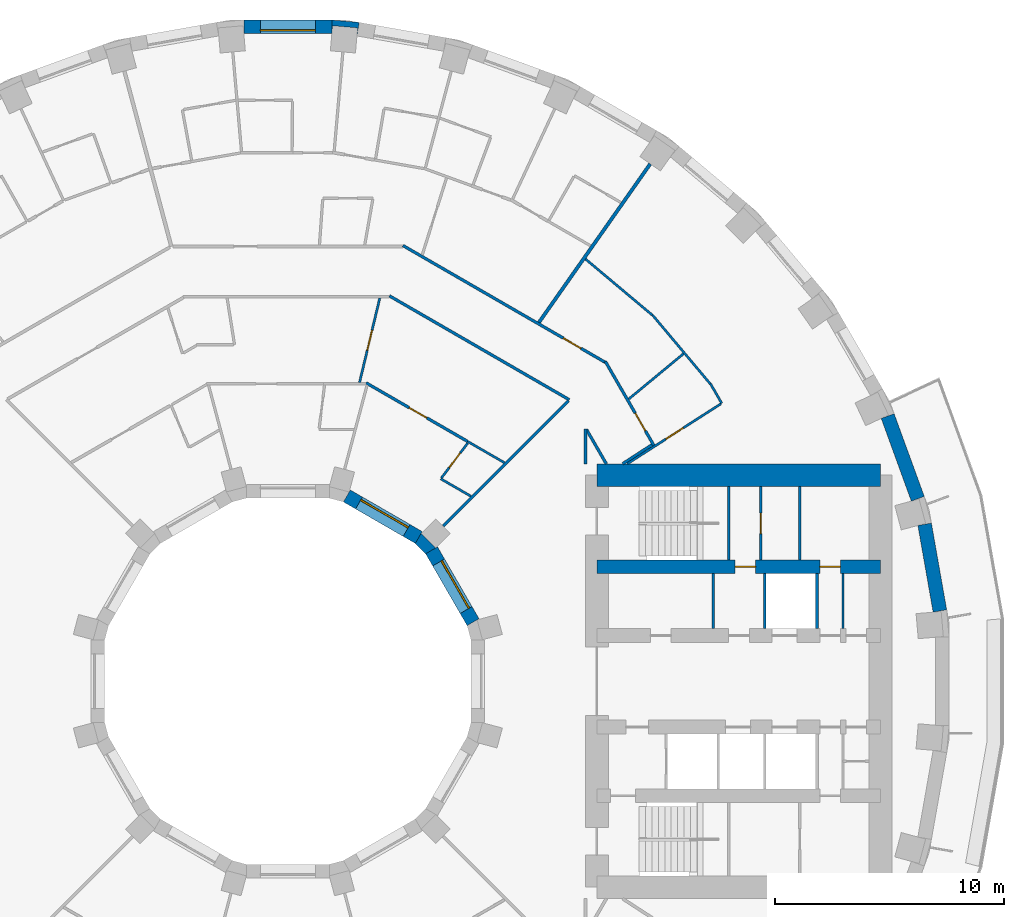
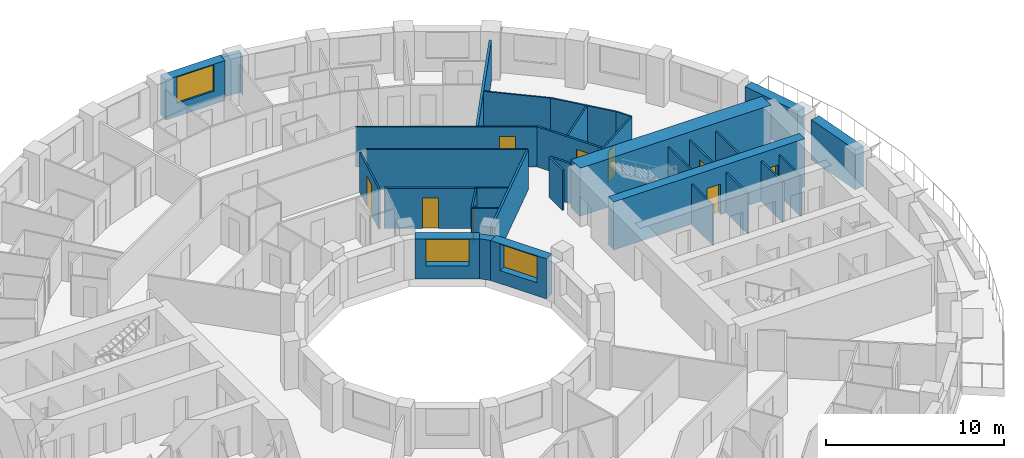
# One storey, part 11 of 14: 34 walls, 9 doors, 3 windows, 12 openings.
"""IFC4 building model written with IfcOpenShell, lengths in metres."""

from ifc_helpers import new_model, si_unit, direction, frame, frame_2d, origin, place, context, subcontext, project, spatial, polyline, rectangle, outline, extrude, material, layer, layer_set, type_object, element, fill, save


model = new_model("IFC4")

# Units and contexts
model_context = context("Model", 3, precision=1e-05, world=origin(), true_north=direction((0.0, 1.0)))
body_context = subcontext(model_context, "Body", "Model", "MODEL_VIEW")
ifc_project = project(units=[si_unit("LENGTHUNIT", "METRE"), si_unit("AREAUNIT", "SQUARE_METRE"), si_unit("VOLUMEUNIT", "CUBIC_METRE"), si_unit("PLANEANGLEUNIT", "RADIAN"), si_unit("MASSUNIT", "GRAM", prefix="KILO")], contexts=[model_context])

# Site, building, storey
site_placement = place(None, origin())
site = spatial("IfcSite", under=ifc_project, at=site_placement, CompositionType="ELEMENT")
building_placement = place(site_placement, origin())
building = spatial("IfcBuilding", under=site, at=building_placement, Name="Saqina Gate Tower", CompositionType="ELEMENT")
storey_placement = place(building_placement, frame((0.0, 0.0, 49.39990234375)))
storey = spatial("IfcBuildingStorey", under=building, at=storey_placement, Name="L13", CompositionType="ELEMENT", Elevation=49.39990234375)

# Walls
ifc_material_1 = material(Name="Brick masonry (red)", Category="masonry")
wall_type_1 = type_object("IfcWallType", Name="BRICK PIER COPING RED", PredefinedType="SOLIDWALL", material=ifc_material_1)
wall_1_placement = place(storey_placement, origin())
element("IfcWall", 1, at=wall_1_placement, inside=storey, type_object=wall_type_1, Name="Pier cap L13 column 9", PredefinedType="SOLIDWALL", context=body_context, shape_type="SweptSolid", body=[
    extrude(outline(polyline([(3.122802734375, 28.78466796875), (1.9228515625, 28.8896484375), (1.9228515625, 28.28955078125), (1.95361328125, 28.638671875), (3.04931640625, 28.54296875), (3.018798828125, 28.19384765625), (3.122802734375, 28.78466796875)])), origin(), (0.0, 0.0, 1.0), 2.75),
])
ifc_material_2 = material(Name="Gypsum board on steel studs", Category="steel")
ifc_layer_1 = layer(ifc_material_2, 0.10009765625)
ifc_layer_set_1 = layer_set([ifc_layer_1], Name="CORE PARTITION")
wall_type_2 = type_object("IfcWallType", Name="CORE PARTITION", PredefinedType="PARTITIONING", material=ifc_layer_set_1)
for number, where, z_axis, x_axis, name in (
    (2, (18.582763671875, 2.300048828125, 0.0), (0.0, 0.0, 1.0), (0.0, 1.0, 0.0), "L13-CP-E01"),
    (3, (24.260009765625, 2.300048828125, 0.0), (0.0, 0.0, 1.0), (0.0, 1.0, 0.0), "L13-CP-E04"),
):
    element("IfcWall", number, at=place(storey_placement, frame(where, z_axis=z_axis, x_axis=x_axis)), inside=storey, type_object=wall_type_2, Name=name, PredefinedType="PARTITIONING", context=body_context, shape_type="SweptSolid", body=[
        extrude(rectangle(XDim=2.39990234375, YDim=0.10009765625, at=frame_2d((1.199951171875, 0.0))), origin(), (0.0, 0.0, 1.0), 2.75),
    ])

# Wall, opening, door
wall_2_placement = place(storey_placement, frame((20.65771484375, 5.300048828125, 0.0), z_axis=(0.0, 0.0, 1.0), x_axis=(0.0, 1.0, 0.0)))
wall_2 = element("IfcWall", 4, at=wall_2_placement, inside=storey, type_object=wall_type_2, Name="L13-CP-E12", PredefinedType="PARTITIONING", context=body_context, shape_type="SweptSolid", body=[
    extrude(rectangle(XDim=3.199951171875, YDim=0.10009765625, at=frame_2d((1.60009765625, 0.0))), origin(), (0.0, 0.0, 1.0), 2.75),
])
opening_1_placement = place(wall_2_placement, frame((1.14990234375, 0.0, 0.0)))
opening_1 = element("IfcOpeningElement", 5, at=opening_1_placement, cuts=wall_2, Name="Opening G03-D97", PredefinedType="OPENING", context=body_context, shape_type="SweptSolid", body=[
    extrude(rectangle(XDim=0.89990234375, YDim=2.10009765625, at=frame_2d((0.449951171875, 1.050048828125))), frame((0.0, 0.06201171875, 0.0), z_axis=(0.0, -1.0, 0.0), x_axis=(1.0, 0.0, 0.0)), (0.0, 0.0, 1.0), 0.1240234375),
])
ifc_material_3 = material(Name="Steel-framed fire door leaf, EI 60", Category="steel")
door_type_1 = type_object("IfcDoorType", Name="SERVICE ROOM DOOR 900", OperationType="SINGLE_SWING_LEFT", PredefinedType="DOOR", material=ifc_material_3)
door_1_placement = place(opening_1_placement, frame((0.89990234375, 0.0, 0.0), z_axis=(0.0, 0.0, 1.0), x_axis=(-1.0, 0.0, 0.0)))
door_1 = element("IfcDoor", 6, at=door_1_placement, inside=storey, type_object=door_type_1, Name="L13-CD-E08", OperationType="SINGLE_SWING_RIGHT", OverallHeight=2.10009765625, OverallWidth=0.89990234375, PredefinedType="DOOR", context=body_context, shape_type="SweptSolid", body=[
    extrude(rectangle(XDim=0.89990234375, YDim=2.10009765625, at=frame_2d((0.449951171875, 1.050048828125))), frame((0.0, 0.02490234375, 0.0), z_axis=(0.0, -1.0, 0.0), x_axis=(1.0, 0.0, 0.0)), (0.0, 0.0, 1.0), 0.050048828125),
])
fill(opening_1, door_1)

# Wall
wall_3_placement = place(storey_placement, frame((22.360107421875, 5.300048828125, 0.0), z_axis=(0.0, 0.0, 1.0), x_axis=(0.0, 1.0, 0.0)))
element("IfcWall", 7, at=wall_3_placement, inside=storey, type_object=wall_type_2, Name="L13-CP-E13", PredefinedType="PARTITIONING", context=body_context, shape_type="SweptSolid", body=[
    extrude(rectangle(XDim=3.199951171875, YDim=0.10009765625, at=frame_2d((1.60009765625, 0.0))), origin(), (0.0, 0.0, 1.0), 2.75),
])

# Wall, opening, window
ifc_material_4 = material(Name="Brick masonry (red)", Category="masonry")
ifc_layer_2 = layer(ifc_material_4, 0.60009765625)
ifc_layer_set_2 = layer_set([ifc_layer_2], Name="FW-BRICK-RED")
wall_type_3 = type_object("IfcWallType", Name="FW-BRICK-RED", PredefinedType="SOLIDWALL", material=ifc_layer_set_2)
wall_4_placement = place(storey_placement, frame((1.9228515625, 28.589599609375, 0.0), z_axis=(0.0, 0.0, 1.0), x_axis=(-1.0, 0.0, 0.0)))
wall_4 = element("IfcWall", 8, at=wall_4_placement, inside=storey, type_object=wall_type_3, Name="Facade wall L13 facet 9", PredefinedType="SOLIDWALL", context=body_context, shape_type="SweptSolid", body=[
    extrude(rectangle(XDim=3.845703125, YDim=0.60009765625, at=frame_2d((1.9228515625, 0.0))), origin(), (0.0, 0.0, 1.0), 2.75),
])
opening_2_placement = place(wall_4_placement, frame((0.722900390625, 0.0, 0.89990234375)))
opening_2 = element("IfcOpeningElement", 9, at=opening_2_placement, cuts=wall_4, Name="Opening G03-W07", PredefinedType="OPENING", context=body_context, shape_type="SweptSolid", body=[
    extrude(rectangle(XDim=2.39990234375, YDim=1.800048828125, at=frame_2d((1.199951171875, 0.89990234375))), frame((0.0, 0.31201171875, 0.0), z_axis=(0.0, -1.0, 0.0), x_axis=(1.0, 0.0, 0.0)), (0.0, 0.0, 1.0), 0.6240234375),
])
ifc_material_5 = material(Name="Aluminium glazing", Category="aluminium")
window_type_1 = type_object("IfcWindowType", Name="WN-A", PartitioningType="SINGLE_PANEL", PredefinedType="WINDOW", material=ifc_material_5)
window_1_placement = place(opening_2_placement, origin())
window_1 = element("IfcWindow", 10, at=window_1_placement, inside=storey, type_object=window_type_1, Name="Window L13 facet 9", OverallHeight=1.800048828125, OverallWidth=2.39990234375, PartitioningType="SINGLE_PANEL", PredefinedType="WINDOW", context=body_context, shape_type="SweptSolid", body=[
    extrude(rectangle(XDim=2.39990234375, YDim=1.800048828125, at=frame_2d((1.199951171875, 0.89990234375))), frame((0.0, 0.179931640625, 0.0), z_axis=(0.0, -1.0, 0.0), x_axis=(1.0, 0.0, 0.0)), (0.0, 0.0, 1.0), 0.06005859375),
])
fill(opening_2, window_1)

# Walls
ifc_material_6 = material(Name="Glazed ceramic tile", Category="ceramic")
ifc_layer_3 = layer(ifc_material_6, 0.60009765625)
ifc_layer_set_3 = layer_set([ifc_layer_3], Name="FW-TILE")
wall_type_4 = type_object("IfcWallType", Name="FW-TILE", PredefinedType="SOLIDWALL", material=ifc_layer_set_3)
wall_5_placement = place(storey_placement, frame((27.523193359375, 7.97119140625, 0.0), z_axis=(0.0, 0.0, 1.0), x_axis=(-0.342028474173, 0.939689588564, 0.0)))
element("IfcWall", 11, at=wall_5_placement, inside=storey, type_object=wall_type_4, Name="Facade wall L13 facet 2", PredefinedType="SOLIDWALL", context=body_context, shape_type="SweptSolid", body=[
    extrude(rectangle(XDim=3.845947265625, YDim=0.60009765625, at=frame_2d((1.9228515625, 0.0))), origin(), (0.0, 0.0, 1.0), 2.75),
])
ifc_material_7 = material(Name="Glazed ceramic tile (dark blue)", Category="ceramic")
ifc_layer_4 = layer(ifc_material_7, 0.60009765625)
ifc_layer_set_4 = layer_set([ifc_layer_4], Name="FW-TILE-CB")
wall_type_5 = type_object("IfcWallType", Name="FW-TILE-CB", PredefinedType="SOLIDWALL", material=ifc_layer_set_4)
wall_6_placement = place(storey_placement, frame((28.4892578125, 3.07080078125, 0.0), z_axis=(0.0, 0.0, 1.0), x_axis=(-0.173687553279, 0.984800809218, 0.0)))
element("IfcWall", 12, at=wall_6_placement, inside=storey, type_object=wall_type_5, Name="Facade wall L13 facet 1", PredefinedType="SOLIDWALL", context=body_context, shape_type="SweptSolid", body=[
    extrude(rectangle(XDim=3.845703125, YDim=0.60009765625, at=frame_2d((1.9228515625, 0.0))), origin(), (0.0, 0.0, 1.0), 2.75),
])

# Wall, opening, window
ifc_material_8 = material(Name="Glazed ceramic tile", Category="ceramic")
ifc_layer_5 = layer(ifc_material_8, 0.60009765625)
ifc_layer_set_5 = layer_set([ifc_layer_5], Name="IW-TILE")
wall_type_6 = type_object("IfcWallType", Name="IW-TILE", PredefinedType="SOLIDWALL", material=ifc_layer_set_5)
wall_7_placement = place(storey_placement, frame((8.09423828125, 2.580322265625, 0.0), z_axis=(0.0, 0.0, 1.0), x_axis=(-0.499992569217, 0.866029693906, 0.0)))
wall_7 = element("IfcWall", 13, at=wall_7_placement, inside=storey, type_object=wall_type_6, Name="Well wall L13 facet 1", PredefinedType="SOLIDWALL", context=body_context, shape_type="SweptSolid", body=[
    extrude(rectangle(XDim=3.625, YDim=0.60009765625, at=frame_2d((1.8125, 0.0))), origin(), (0.0, 0.0, 1.0), 2.75),
])
opening_3_placement = place(wall_7_placement, frame((0.612548828125, 0.0, 0.89990234375)))
opening_3 = element("IfcOpeningElement", 14, at=opening_3_placement, cuts=wall_7, Name="Opening G03-W26", PredefinedType="OPENING", context=body_context, shape_type="SweptSolid", body=[
    extrude(rectangle(XDim=2.39990234375, YDim=1.800048828125, at=frame_2d((1.199951171875, 0.89990234375))), frame((0.0, 0.31201171875, 0.0), z_axis=(0.0, -1.0, 0.0), x_axis=(1.0, 0.0, 0.0)), (0.0, 0.0, 1.0), 0.6240234375),
])
ifc_material_9 = material(Name="Aluminium glazing", Category="aluminium")
window_type_2 = type_object("IfcWindowType", Name="WN-W", PartitioningType="SINGLE_PANEL", PredefinedType="WINDOW", material=ifc_material_9)
window_2_placement = place(opening_3_placement, origin())
window_2 = element("IfcWindow", 15, at=window_2_placement, inside=storey, type_object=window_type_2, Name="Well window L13 facet 1", OverallHeight=1.800048828125, OverallWidth=2.39990234375, PartitioningType="SINGLE_PANEL", PredefinedType="WINDOW", context=body_context, shape_type="SweptSolid", body=[
    extrude(rectangle(XDim=2.39990234375, YDim=1.800048828125, at=frame_2d((1.199951171875, 0.89990234375))), frame((0.0, -0.119873046875, 0.0), z_axis=(0.0, -1.0, 0.0), x_axis=(1.0, 0.0, 0.0)), (0.0, 0.0, 1.0), 0.06005859375),
])
fill(opening_3, window_2)

wall_8_placement = place(storey_placement, frame((5.7197265625, 6.28173828125, 0.0), z_axis=(0.0, 0.0, 1.0), x_axis=(-0.866029693906, 0.499992569217, 0.0)))
wall_8 = element("IfcWall", 16, at=wall_8_placement, inside=storey, type_object=wall_type_6, Name="Well wall L13 facet 2", PredefinedType="SOLIDWALL", context=body_context, shape_type="SweptSolid", body=[
    extrude(rectangle(XDim=3.625, YDim=0.60009765625, at=frame_2d((1.8125, 0.0))), origin(), (0.0, 0.0, 1.0), 2.75),
])
opening_4_placement = place(wall_8_placement, frame((0.612548828125, 0.0, 0.89990234375)))
opening_4 = element("IfcOpeningElement", 17, at=opening_4_placement, cuts=wall_8, Name="Opening G03-W27", PredefinedType="OPENING", context=body_context, shape_type="SweptSolid", body=[
    extrude(rectangle(XDim=2.39990234375, YDim=1.800048828125, at=frame_2d((1.199951171875, 0.89990234375))), frame((0.0, 0.31201171875, 0.0), z_axis=(0.0, -1.0, 0.0), x_axis=(1.0, 0.0, 0.0)), (0.0, 0.0, 1.0), 0.6240234375),
])
window_3_placement = place(opening_4_placement, origin())
window_3 = element("IfcWindow", 18, at=window_3_placement, inside=storey, type_object=window_type_2, Name="Well window L13 facet 2", OverallHeight=1.800048828125, OverallWidth=2.39990234375, PartitioningType="SINGLE_PANEL", PredefinedType="WINDOW", context=body_context, shape_type="SweptSolid", body=[
    extrude(rectangle(XDim=2.39990234375, YDim=1.800048828125, at=frame_2d((1.199951171875, 0.89990234375))), frame((0.0, -0.119873046875, 0.0), z_axis=(0.0, -1.0, 0.0), x_axis=(1.0, 0.0, 0.0)), (0.0, 0.0, 1.0), 0.06005859375),
])
fill(opening_4, window_3)

# Walls
ifc_material_10 = material(Name="Gypsum board on steel studs, 100 mm", Category="steel")
ifc_layer_6 = layer(ifc_material_10, 0.10009765625)
ifc_layer_set_6 = layer_set([ifc_layer_6], Name="PARTITION 100")
wall_type_7 = type_object("IfcWallType", Name="PARTITION 100", PredefinedType="PARTITIONING", material=ifc_layer_set_6)
wall_9_placement = place(storey_placement, frame((18.468017578125, 12.9931640625, 0.0), z_axis=(0.0, 0.0, 1.0), x_axis=(0.499060839642, -0.866566949713, 0.0)))
element("IfcWall", 19, at=wall_9_placement, inside=storey, type_object=wall_type_7, Name="PARTITION PW3-20", PredefinedType="PARTITIONING", context=body_context, shape_type="SweptSolid", body=[
    extrude(rectangle(XDim=0.97998046875, YDim=0.10009765625, at=frame_2d((0.489990234375, 0.0))), origin(), (0.0, 0.0, 1.0), 2.75),
])
wall_10_placement = place(storey_placement, frame((15.930419921875, 16.001953125, 0.0), z_axis=(0.0, 0.0, 1.0), x_axis=(0.642925836876, -0.76592843548, 0.0)))
element("IfcWall", 20, at=wall_10_placement, inside=storey, type_object=wall_type_7, Name="PARTITION PW3-31", PredefinedType="PARTITIONING", context=body_context, shape_type="SweptSolid", body=[
    extrude(rectangle(XDim=3.93603515625, YDim=0.10009765625, at=frame_2d((1.968017578125, 0.0))), origin(), (0.0, 0.0, 1.0), 2.75),
])
wall_11_placement = place(storey_placement, frame((13.00634765625, 18.44482421875, 0.0), z_axis=(0.0, 0.0, 1.0), x_axis=(0.765937067023, -0.642915553832, 0.0)))
element("IfcWall", 21, at=wall_11_placement, inside=storey, type_object=wall_type_7, Name="PARTITION PW3-40", PredefinedType="PARTITIONING", context=body_context, shape_type="SweptSolid", body=[
    extrude(rectangle(XDim=3.810302734375, YDim=0.10009765625, at=frame_2d((1.9052734375, 0.0))), origin(), (0.0, 0.0, 1.0), 2.75),
])
wall_12_placement = place(storey_placement, frame((6.680908203125, 8.843994140625, 0.0), z_axis=(0.0, 0.0, 1.0), x_axis=(0.866340515316, -0.499453813202, 0.0)))
element("IfcWall", 22, at=wall_12_placement, inside=storey, type_object=wall_type_7, Name="PARTITION PW3-48", PredefinedType="PARTITIONING", context=body_context, shape_type="SweptSolid", body=[
    extrude(rectangle(XDim=1.521240234375, YDim=0.10009765625, at=frame_2d((0.7607421875, 0.0))), origin(), (0.0, 0.0, 1.0), 2.75),
])
wall_13_placement = place(storey_placement, frame((7.852783203125, 10.47802734375, 0.0), z_axis=(0.0, 0.0, 1.0), x_axis=(0.866004081989, -0.500036928615, 0.0)))
element("IfcWall", 23, at=wall_13_placement, inside=storey, type_object=wall_type_7, Name="PARTITION PW3-49", PredefinedType="PARTITIONING", context=body_context, shape_type="SweptSolid", body=[
    extrude(rectangle(XDim=1.859130859375, YDim=0.10009765625, at=frame_2d((0.9296875, 0.0))), origin(), (0.0, 0.0, 1.0), 2.75),
])

# Wall, opening, door
wall_14_placement = place(storey_placement, frame((14.830078125, 9.5, 0.0), z_axis=(0.0, 0.0, 1.0), x_axis=(0.842016302485, 0.539452079752, 0.0)))
wall_14 = element("IfcWall", 24, at=wall_14_placement, inside=storey, type_object=wall_type_7, Name="PARTITION PW3-89", PredefinedType="PARTITIONING", context=body_context, shape_type="SweptSolid", body=[
    extrude(rectangle(XDim=4.85107421875, YDim=0.10009765625, at=frame_2d((2.425537109375, 0.0))), origin(), (0.0, 0.0, 1.0), 2.75),
])
opening_5_placement = place(wall_14_placement, frame((2.000732421875, 0.0, 0.0)))
opening_5 = element("IfcOpeningElement", 25, at=opening_5_placement, cuts=wall_14, Name="Opening G03-D01", PredefinedType="OPENING", context=body_context, shape_type="SweptSolid", body=[
    extrude(rectangle(XDim=0.89990234375, YDim=2.10009765625, at=frame_2d((0.449951171875, 1.050048828125))), frame((0.0, 0.06201171875, 0.0), z_axis=(0.0, -1.0, 0.0), x_axis=(1.0, 0.0, 0.0)), (0.0, 0.0, 1.0), 0.1240234375),
])
ifc_material_11 = material(Name="Timber door leaf, 900 mm", Category="wood")
door_type_2 = type_object("IfcDoorType", Name="DOOR 900 TIMBER", OperationType="SINGLE_SWING_LEFT", PredefinedType="DOOR", material=ifc_material_11)
door_2_placement = place(opening_5_placement, frame((0.89990234375, 0.0, 0.0), z_axis=(0.0, 0.0, 1.0), x_axis=(-1.0, 0.0, 0.0)))
door_2 = element("IfcDoor", 26, at=door_2_placement, inside=storey, type_object=door_type_2, Name="DOOR G03-D01", OperationType="SINGLE_SWING_RIGHT", OverallHeight=2.10009765625, OverallWidth=0.89990234375, PredefinedType="DOOR", context=body_context, shape_type="SweptSolid", body=[
    extrude(rectangle(XDim=0.89990234375, YDim=2.10009765625, at=frame_2d((0.449951171875, 1.050048828125))), frame((0.0, 0.02490234375, 0.0), z_axis=(0.0, -1.0, 0.0), x_axis=(1.0, 0.0, 0.0)), (0.0, 0.0, 1.0), 0.050048828125),
])
fill(opening_5, door_2)

# Wall
wall_15_placement = place(storey_placement, frame((14.89306640625, 12.327880859375, 0.0), z_axis=(0.0, 0.0, 1.0), x_axis=(0.770464868695, 0.63748245945, 0.0)))
element("IfcWall", 27, at=wall_15_placement, inside=storey, type_object=wall_type_7, Name="PARTITION PW3-91", PredefinedType="PARTITIONING", context=body_context, shape_type="SweptSolid", body=[
    extrude(rectangle(XDim=3.106201171875, YDim=0.10009765625, at=frame_2d((1.55322265625, 0.0))), origin(), (0.0, 0.0, 1.0), 2.75),
])

# Wall, opening, door
wall_16_placement = place(storey_placement, frame((6.711181640625, 8.8837890625, 0.0), z_axis=(0.0, 0.0, 1.0), x_axis=(0.602602666336, 0.798041368931, 0.0)))
wall_16 = element("IfcWall", 28, at=wall_16_placement, inside=storey, type_object=wall_type_7, Name="PARTITION PW3-105", PredefinedType="PARTITIONING", context=body_context, shape_type="SweptSolid", body=[
    extrude(rectangle(XDim=1.90380859375, YDim=0.10009765625, at=frame_2d((0.951904296875, 0.0))), origin(), (0.0, 0.0, 1.0), 2.75),
])
opening_6_placement = place(wall_16_placement, frame((0.55810546875, 0.0, 0.0)))
opening_6 = element("IfcOpeningElement", 29, at=opening_6_placement, cuts=wall_16, Name="Opening G03-D04", PredefinedType="OPENING", context=body_context, shape_type="SweptSolid", body=[
    extrude(rectangle(XDim=0.800048828125, YDim=2.10009765625, at=frame_2d((0.39990234375, 1.050048828125))), frame((0.0, 0.06201171875, 0.0), z_axis=(0.0, -1.0, 0.0), x_axis=(1.0, 0.0, 0.0)), (0.0, 0.0, 1.0), 0.1240234375),
])
ifc_material_12 = material(Name="Timber door leaf, 800 mm", Category="wood")
door_type_3 = type_object("IfcDoorType", Name="DOOR 800 TIMBER", OperationType="SINGLE_SWING_LEFT", PredefinedType="DOOR", material=ifc_material_12)
door_3_placement = place(opening_6_placement, origin())
door_3 = element("IfcDoor", 30, at=door_3_placement, inside=storey, type_object=door_type_3, Name="DOOR G03-D04", OperationType="SINGLE_SWING_RIGHT", OverallHeight=2.10009765625, OverallWidth=0.800048828125, PredefinedType="DOOR", context=body_context, shape_type="SweptSolid", body=[
    extrude(rectangle(XDim=0.800048828125, YDim=2.10009765625, at=frame_2d((0.39990234375, 1.050048828125))), frame((0.0, 0.02490234375, 0.0), z_axis=(0.0, -1.0, 0.0), x_axis=(1.0, 0.0, 0.0)), (0.0, 0.0, 1.0), 0.050048828125),
])
fill(opening_6, door_3)

wall_17_placement = place(storey_placement, frame((3.132568359375, 13.048583984375, 0.0), z_axis=(0.0, 0.0, 1.0), x_axis=(0.233368086801, 0.972388469729, 0.0)))
wall_17 = element("IfcWall", 31, at=wall_17_placement, inside=storey, type_object=wall_type_7, Name="PARTITION PW3-121", PredefinedType="PARTITIONING", context=body_context, shape_type="SweptSolid", body=[
    extrude(rectangle(XDim=3.79541015625, YDim=0.10009765625, at=frame_2d((1.897705078125, 0.0))), origin(), (0.0, 0.0, 1.0), 2.75),
])
opening_7_placement = place(wall_17_placement, frame((1.4541015625, 0.0, 0.0)))
opening_7 = element("IfcOpeningElement", 32, at=opening_7_placement, cuts=wall_17, Name="Opening G03-D11", PredefinedType="OPENING", context=body_context, shape_type="SweptSolid", body=[
    extrude(rectangle(XDim=0.89990234375, YDim=2.10009765625, at=frame_2d((0.449951171875, 1.050048828125))), frame((0.0, 0.06201171875, 0.0), z_axis=(0.0, -1.0, 0.0), x_axis=(1.0, 0.0, 0.0)), (0.0, 0.0, 1.0), 0.1240234375),
])
door_4_placement = place(opening_7_placement, origin())
door_4 = element("IfcDoor", 33, at=door_4_placement, inside=storey, type_object=door_type_2, Name="DOOR G03-D11", OperationType="SINGLE_SWING_RIGHT", OverallHeight=2.10009765625, OverallWidth=0.89990234375, PredefinedType="DOOR", context=body_context, shape_type="SweptSolid", body=[
    extrude(rectangle(XDim=0.89990234375, YDim=2.10009765625, at=frame_2d((0.449951171875, 1.050048828125))), frame((0.0, 0.02490234375, 0.0), z_axis=(0.0, -1.0, 0.0), x_axis=(1.0, 0.0, 0.0)), (0.0, 0.0, 1.0), 0.050048828125),
])
fill(opening_7, door_4)

# Wall
ifc_material_13 = material(Name="Gypsum board on steel studs, 125 mm, fire rated", Category="steel")
ifc_layer_7 = layer(ifc_material_13, 0.125)
ifc_layer_set_7 = layer_set([ifc_layer_7], Name="PARTITION EI 30 125")
wall_type_8 = type_object("IfcWallType", Name="PARTITION EI 30 125", PredefinedType="PARTITIONING", material=ifc_layer_set_7)
wall_18_placement = place(storey_placement, frame((13.044921875, 11.005126953125, 0.0), z_axis=(0.0, 0.0, 1.0), x_axis=(0.500066958712, -0.865986741702, 0.0)))
element("IfcWall", 34, at=wall_18_placement, inside=storey, type_object=wall_type_8, Name="PARTITION PW1-03", PredefinedType="PARTITIONING", context=body_context, shape_type="SweptSolid", body=[
    extrude(rectangle(XDim=1.738037109375, YDim=0.125, at=frame_2d((0.869140625, 0.0))), origin(), (0.0, 0.0, 1.0), 2.75),
])

# Wall, opening, door
wall_19_placement = place(storey_placement, frame((13.872802734375, 13.971435546875, 0.0), z_axis=(0.0, 0.0, 1.0), x_axis=(0.500056722401, -0.865992652614, 0.0)))
wall_19 = element("IfcWall", 35, at=wall_19_placement, inside=storey, type_object=wall_type_8, Name="PARTITION PW1-04", PredefinedType="PARTITIONING", context=body_context, shape_type="SweptSolid", body=[
    extrude(rectangle(XDim=4.23583984375, YDim=0.125, at=frame_2d((2.117919921875, 0.0))), origin(), (0.0, 0.0, 1.0), 2.75),
])
opening_8_placement = place(wall_19_placement, frame((2.60595703125, 0.0, 0.0)))
opening_8 = element("IfcOpeningElement", 36, at=opening_8_placement, cuts=wall_19, Name="Opening G03-D02", PredefinedType="OPENING", context=body_context, shape_type="SweptSolid", body=[
    extrude(rectangle(XDim=0.89990234375, YDim=2.10009765625, at=frame_2d((0.449951171875, 1.050048828125))), frame((0.0, 0.074462890625, 0.0), z_axis=(0.0, -1.0, 0.0), x_axis=(1.0, 0.0, 0.0)), (0.0, 0.0, 1.0), 0.14892578125),
])
ifc_material_14 = material(Name="Fire door leaf EI 30, 900 mm")
door_type_4 = type_object("IfcDoorType", Name="DOOR 900 EI 30", OperationType="SINGLE_SWING_LEFT", PredefinedType="DOOR", material=ifc_material_14)
door_5_placement = place(opening_8_placement, origin())
door_5 = element("IfcDoor", 37, at=door_5_placement, inside=storey, type_object=door_type_4, Name="DOOR G03-D02", OperationType="SINGLE_SWING_RIGHT", OverallHeight=2.10009765625, OverallWidth=0.89990234375, PredefinedType="DOOR", context=body_context, shape_type="SweptSolid", body=[
    extrude(rectangle(XDim=0.89990234375, YDim=2.10009765625, at=frame_2d((0.449951171875, 1.050048828125))), frame((0.0, 0.02490234375, 0.0), z_axis=(0.0, -1.0, 0.0), x_axis=(1.0, 0.0, 0.0)), (0.0, 0.0, 1.0), 0.050048828125),
])
fill(opening_8, door_5)

wall_20_placement = place(storey_placement, frame((3.42041015625, 13.0361328125, 0.0), z_axis=(0.0, 0.0, 1.0), x_axis=(0.86610376991, -0.499864241317, 0.0)))
wall_20 = element("IfcWall", 38, at=wall_20_placement, inside=storey, type_object=wall_type_8, Name="PARTITION PW1-15", PredefinedType="PARTITIONING", context=body_context, shape_type="SweptSolid", body=[
    extrude(rectangle(XDim=5.11767578125, YDim=0.125, at=frame_2d((2.558837890625, 0.0))), origin(), (0.0, 0.0, 1.0), 2.75),
])
opening_9_placement = place(wall_20_placement, frame((2.169921875, 0.0, 0.0)))
opening_9 = element("IfcOpeningElement", 39, at=opening_9_placement, cuts=wall_20, Name="Opening G03-D07", PredefinedType="OPENING", context=body_context, shape_type="SweptSolid", body=[
    extrude(rectangle(XDim=0.89990234375, YDim=2.10009765625, at=frame_2d((0.449951171875, 1.050048828125))), frame((0.0, 0.074462890625, 0.0), z_axis=(0.0, -1.0, 0.0), x_axis=(1.0, 0.0, 0.0)), (0.0, 0.0, 1.0), 0.14892578125),
])
door_6_placement = place(opening_9_placement, origin())
door_6 = element("IfcDoor", 40, at=door_6_placement, inside=storey, type_object=door_type_4, Name="DOOR G03-D07", OperationType="SINGLE_SWING_RIGHT", OverallHeight=2.10009765625, OverallWidth=0.89990234375, PredefinedType="DOOR", context=body_context, shape_type="SweptSolid", body=[
    extrude(rectangle(XDim=0.89990234375, YDim=2.10009765625, at=frame_2d((0.449951171875, 1.050048828125))), frame((0.0, 0.02490234375, 0.0), z_axis=(0.0, -1.0, 0.0), x_axis=(1.0, 0.0, 0.0)), (0.0, 0.0, 1.0), 0.050048828125),
])
fill(opening_9, door_6)

# Wall
wall_21_placement = place(storey_placement, frame((4.439453125, 16.836181640625, 0.0), z_axis=(0.0, 0.0, 1.0), x_axis=(0.865982621983, -0.500074092933, 0.0)))
element("IfcWall", 41, at=wall_21_placement, inside=storey, type_object=wall_type_8, Name="PARTITION PW1-16", PredefinedType="PARTITIONING", context=body_context, shape_type="SweptSolid", body=[
    extrude(rectangle(XDim=9.07470703125, YDim=0.125, at=frame_2d((4.537353515625, 0.0))), origin(), (0.0, 0.0, 1.0), 2.75),
])

# Wall, opening, door
wall_22_placement = place(storey_placement, frame((5.028564453125, 19.0361328125, 0.0), z_axis=(0.0, 0.0, 1.0), x_axis=(0.866024825845, -0.50000100102, 0.0)))
wall_22 = element("IfcWall", 42, at=wall_22_placement, inside=storey, type_object=wall_type_8, Name="PARTITION PW1-17", PredefinedType="PARTITIONING", context=body_context, shape_type="SweptSolid", body=[
    extrude(rectangle(XDim=10.19189453125, YDim=0.125, at=frame_2d((5.095947265625, 0.0))), origin(), (0.0, 0.0, 1.0), 2.75),
])
opening_10_placement = place(wall_22_placement, frame((8.090087890625, 0.0, 0.0)))
opening_10 = element("IfcOpeningElement", 43, at=opening_10_placement, cuts=wall_22, Name="Opening G03-D03", PredefinedType="OPENING", context=body_context, shape_type="SweptSolid", body=[
    extrude(rectangle(XDim=0.89990234375, YDim=2.10009765625, at=frame_2d((0.449951171875, 1.050048828125))), frame((0.0, 0.074462890625, 0.0), z_axis=(0.0, -1.0, 0.0), x_axis=(1.0, 0.0, 0.0)), (0.0, 0.0, 1.0), 0.14892578125),
])
door_7_placement = place(opening_10_placement, origin())
door_7 = element("IfcDoor", 44, at=door_7_placement, inside=storey, type_object=door_type_4, Name="DOOR G03-D03", OperationType="SINGLE_SWING_RIGHT", OverallHeight=2.10009765625, OverallWidth=0.89990234375, PredefinedType="DOOR", context=body_context, shape_type="SweptSolid", body=[
    extrude(rectangle(XDim=0.89990234375, YDim=2.10009765625, at=frame_2d((0.449951171875, 1.050048828125))), frame((0.0, 0.02490234375, 0.0), z_axis=(0.0, -1.0, 0.0), x_axis=(1.0, 0.0, 0.0)), (0.0, 0.0, 1.0), 0.050048828125),
])
fill(opening_10, door_7)

# Walls
wall_23_placement = place(storey_placement, frame((14.62890625, 9.5, 0.0), z_axis=(0.0, 0.0, 1.0), x_axis=(0.83882853689, 0.544395706908, 0.0)))
element("IfcWall", 45, at=wall_23_placement, inside=storey, type_object=wall_type_8, Name="PARTITION PW1-43", PredefinedType="PARTITIONING", context=body_context, shape_type="SweptSolid", body=[
    extrude(rectangle(XDim=1.520751953125, YDim=0.125, at=frame_2d((0.76025390625, 0.0))), origin(), (0.0, 0.0, 1.0), 2.75),
])
wall_24_placement = place(storey_placement, frame((6.78271484375, 6.78271484375, 0.0), z_axis=(0.0, 0.0, 1.0), x_axis=(0.707106781187, 0.707106781187, 0.0)))
element("IfcWall", 46, at=wall_24_placement, inside=storey, type_object=wall_type_8, Name="PARTITION PW1-48", PredefinedType="PARTITIONING", context=body_context, shape_type="SweptSolid", body=[
    extrude(rectangle(XDim=7.737548828125, YDim=0.125, at=frame_2d((3.86865234375, 0.0))), origin(), (0.0, 0.0, 1.0), 2.75),
])
wall_25_placement = place(storey_placement, frame((13.0, 9.5, 0.0), z_axis=(0.0, 0.0, 1.0), x_axis=(0.0, 1.0, 0.0)))
element("IfcWall", 47, at=wall_25_placement, inside=storey, type_object=wall_type_8, Name="PARTITION PW1-57", PredefinedType="PARTITIONING", context=body_context, shape_type="SweptSolid", body=[
    extrude(rectangle(XDim=1.5205078125, YDim=0.125, at=frame_2d((0.76025390625, 0.0))), origin(), (0.0, 0.0, 1.0), 2.75),
])
ifc_material_15 = material(Name="Gypsum board on steel studs, 150 mm, fire rated", Category="steel")
ifc_layer_8 = layer(ifc_material_15, 0.14990234375)
ifc_layer_set_8 = layer_set([ifc_layer_8], Name="PARTITION EI 60 150")
wall_type_9 = type_object("IfcWallType", Name="PARTITION EI 60 150", PredefinedType="PARTITIONING", material=ifc_layer_set_8)
wall_26_placement = place(storey_placement, frame((10.97216796875, 15.677001953125, 0.0), z_axis=(0.0, 0.0, 1.0), x_axis=(0.574550995915, 0.818468785656, 0.0)))
element("IfcWall", 48, at=wall_26_placement, inside=storey, type_object=wall_type_9, Name="PARTITION PW2-02", PredefinedType="PARTITIONING", context=body_context, shape_type="SweptSolid", body=[
    extrude(rectangle(XDim=8.454833984375, YDim=0.14990234375, at=frame_2d((4.2275390625, 0.0))), origin(), (0.0, 0.0, 1.0), 2.75),
])
ifc_material_16 = material(Name="Autoclaved aerated concrete block", Category="concrete")
ifc_layer_9 = layer(ifc_material_16, 0.1201171875)
ifc_layer_set_9 = layer_set([ifc_layer_9], Name="SHAFT PARTITION")
wall_type_10 = type_object("IfcWallType", Name="SHAFT PARTITION", PredefinedType="PARTITIONING", material=ifc_layer_set_9)
for number, where, z_axis, x_axis, name in (
    (49, (20.840087890625, 2.300048828125, 0.0), (0.0, 0.0, 1.0), (0.0, 1.0, 0.0), "L13-CP-E02"),
    (50, (23.1201171875, 2.300048828125, 0.0), (0.0, 0.0, 1.0), (0.0, 1.0, 0.0), "L13-CP-E03"),
):
    element("IfcWall", number, at=place(storey_placement, frame(where, z_axis=z_axis, x_axis=x_axis)), inside=storey, type_object=wall_type_10, Name=name, PredefinedType="PARTITIONING", context=body_context, shape_type="SweptSolid", body=[
        extrude(rectangle(XDim=2.39990234375, YDim=0.1201171875, at=frame_2d((1.199951171875, 0.0))), origin(), (0.0, 0.0, 1.0), 2.75),
    ])
ifc_material_17 = material(Name="Autoclaved aerated concrete block", Category="concrete")
ifc_layer_10 = layer(ifc_material_17, 0.10009765625)
ifc_layer_set_10 = layer_set([ifc_layer_10], Name="STAIR ENCLOSURE WALL")
wall_type_11 = type_object("IfcWallType", Name="STAIR ENCLOSURE WALL", PredefinedType="PARTITIONING", material=ifc_layer_set_10)
wall_27_placement = place(storey_placement, frame((19.27001953125, 5.300048828125, 0.0), z_axis=(0.0, 0.0, 1.0), x_axis=(0.0, 1.0, 0.0)))
element("IfcWall", 51, at=wall_27_placement, inside=storey, type_object=wall_type_11, Name="L13-CP-E11", PredefinedType="PARTITIONING", context=body_context, shape_type="SweptSolid", body=[
    extrude(rectangle(XDim=3.199951171875, YDim=0.10009765625, at=frame_2d((1.60009765625, 0.0))), origin(), (0.0, 0.0, 1.0), 2.75),
])

# Wall, openings, doors
ifc_material_18 = material(Name="Concrete C70/85", Category="concrete")
ifc_layer_11 = layer(ifc_material_18, 0.60009765625)
ifc_layer_set_11 = layer_set([ifc_layer_11], Name="Concrete C70/85")
wall_type_12 = type_object("IfcWallType", Name="STR-CORE WALL-A-I", PredefinedType="SHEAR", material=ifc_layer_set_11)
wall_28_placement = place(storey_placement, frame((13.5, 5.0, 0.0), z_axis=(0.0, 0.0, 1.0), x_axis=(1.0, 0.0, 0.0)))
wall_28 = element("IfcWall", 52, at=wall_28_placement, inside=storey, type_object=wall_type_12, Name="CORE WALL L13 E-X1", PredefinedType="SHEAR", context=body_context, shape_type="SweptSolid", body=[
    extrude(rectangle(XDim=12.39990234375, YDim=0.60009765625, at=frame_2d((6.199951171875, 0.0))), origin(), (0.0, 0.0, 1.0), 3.300048828125),
])
opening_11_placement = place(wall_28_placement, frame((6.038818359375, 0.0, 0.0)))
opening_11 = element("IfcOpeningElement", 53, at=opening_11_placement, cuts=wall_28, Name="Opening G03-D98", PredefinedType="OPENING", context=body_context, shape_type="SweptSolid", body=[
    extrude(rectangle(XDim=0.89990234375, YDim=2.10009765625, at=frame_2d((0.449951171875, 1.050048828125))), frame((0.0, 0.31201171875, 0.0), z_axis=(0.0, -1.0, 0.0), x_axis=(1.0, 0.0, 0.0)), (0.0, 0.0, 1.0), 0.6240234375),
])
opening_12_placement = place(wall_28_placement, frame((9.739990234375, 0.0, 0.0)))
opening_12 = element("IfcOpeningElement", 54, at=opening_12_placement, cuts=wall_28, Name="Opening G03-D99", PredefinedType="OPENING", context=body_context, shape_type="SweptSolid", body=[
    extrude(rectangle(XDim=0.89990234375, YDim=2.10009765625, at=frame_2d((0.449951171875, 1.050048828125))), frame((0.0, 0.31201171875, 0.0), z_axis=(0.0, -1.0, 0.0), x_axis=(1.0, 0.0, 0.0)), (0.0, 0.0, 1.0), 0.6240234375),
])
door_8_placement = place(opening_11_placement, frame((0.89990234375, 0.0, 0.0), z_axis=(0.0, 0.0, 1.0), x_axis=(-1.0, 0.0, 0.0)))
door_8 = element("IfcDoor", 55, at=door_8_placement, inside=storey, type_object=door_type_1, Name="L13-CD-E09", OperationType="SINGLE_SWING_LEFT", OverallHeight=2.10009765625, OverallWidth=0.89990234375, PredefinedType="DOOR", context=body_context, shape_type="SweptSolid", body=[
    extrude(rectangle(XDim=0.89990234375, YDim=2.10009765625, at=frame_2d((0.449951171875, 1.050048828125))), frame((0.0, 0.02490234375, 0.0), z_axis=(0.0, -1.0, 0.0), x_axis=(1.0, 0.0, 0.0)), (0.0, 0.0, 1.0), 0.050048828125),
])
fill(opening_11, door_8)
door_9_placement = place(opening_12_placement, origin())
door_9 = element("IfcDoor", 56, at=door_9_placement, inside=storey, type_object=door_type_1, Name="L13-CD-E10", OperationType="SINGLE_SWING_RIGHT", OverallHeight=2.10009765625, OverallWidth=0.89990234375, PredefinedType="DOOR", context=body_context, shape_type="SweptSolid", body=[
    extrude(rectangle(XDim=0.89990234375, YDim=2.10009765625, at=frame_2d((0.449951171875, 1.050048828125))), frame((0.0, 0.02490234375, 0.0), z_axis=(0.0, -1.0, 0.0), x_axis=(1.0, 0.0, 0.0)), (0.0, 0.0, 1.0), 0.050048828125),
])
fill(opening_12, door_9)

# Walls
ifc_material_19 = material(Name="Concrete C70/85", Category="concrete")
ifc_layer_12 = layer(ifc_material_19, 1.0)
ifc_layer_set_12 = layer_set([ifc_layer_12], Name="Concrete C70/85")
wall_type_13 = type_object("IfcWallType", Name="STR-CORE WALL-A-O", PredefinedType="SHEAR", material=ifc_layer_set_12)
wall_29_placement = place(storey_placement, frame((13.5, 9.0, 0.0), z_axis=(0.0, 0.0, 1.0), x_axis=(1.0, 0.0, 0.0)))
element("IfcWall", 57, at=wall_29_placement, inside=storey, type_object=wall_type_13, Name="CORE WALL L13 E-NE", PredefinedType="SHEAR", context=body_context, shape_type="SweptSolid", body=[
    extrude(rectangle(XDim=12.39990234375, YDim=1.0, at=frame_2d((6.199951171875, 0.0))), origin(), (0.0, 0.0, 1.0), 3.300048828125),
])
ifc_material_20 = material(Name="Glazed ceramic tile", Category="ceramic")
wall_type_14 = type_object("IfcWallType", Name="TILE PIER COPING", PredefinedType="SOLIDWALL", material=ifc_material_20)
wall_30_placement = place(storey_placement, origin())
element("IfcWall", 58, at=wall_30_placement, inside=storey, type_object=wall_type_14, Name="Well pier cap L13 column 2", PredefinedType="SOLIDWALL", context=body_context, shape_type="SweptSolid", body=[
    extrude(outline(polyline([(5.821044921875, 6.45751953125), (5.569580078125, 6.02197265625), (6.02197265625, 5.569580078125), (6.45751953125, 5.821044921875), (5.821044921875, 6.45751953125)])), origin(), (0.0, 0.0, 1.0), 2.75),
])

save(model, "model.ifc")
